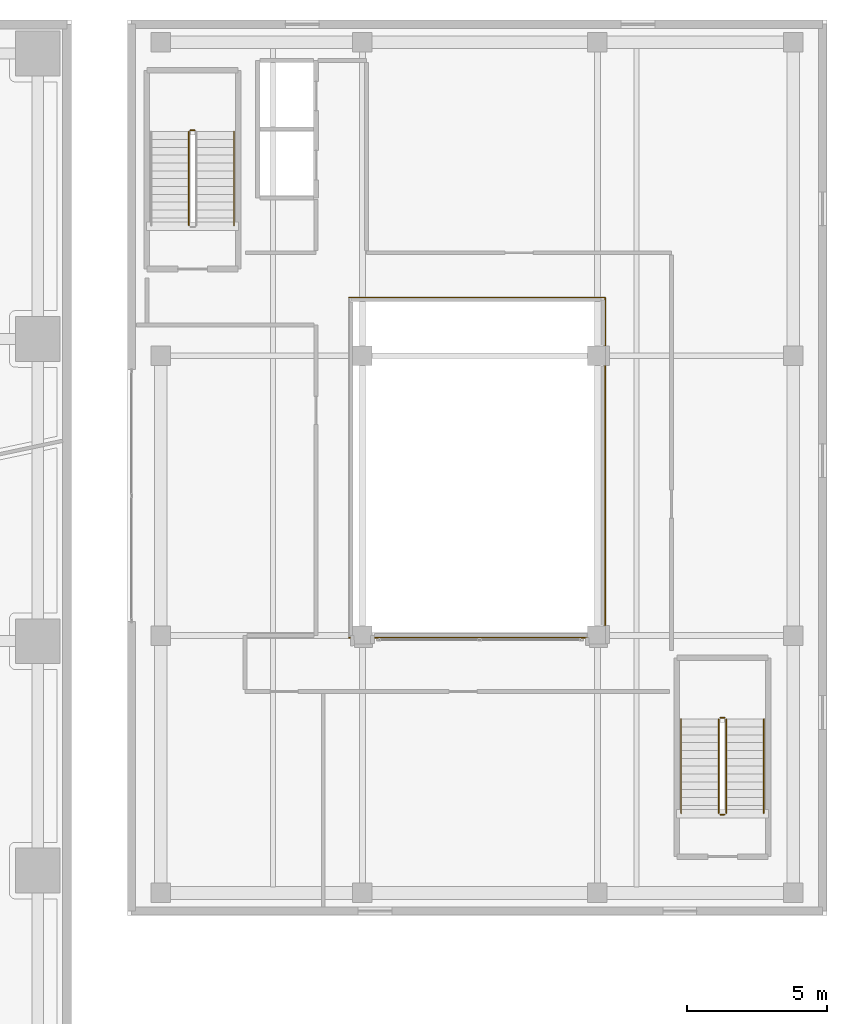
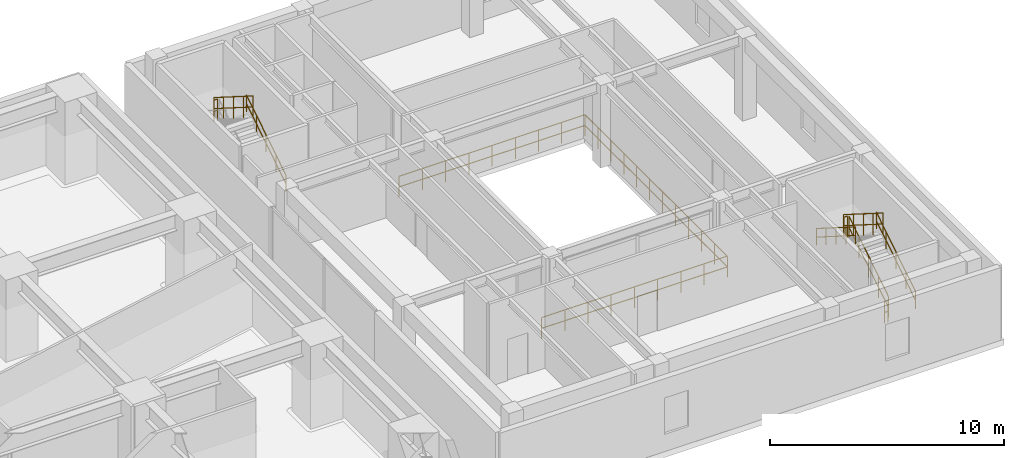
# One storey, part 24 of 24: 12 railings.
"""IFC4 building model written with IfcOpenShell, lengths in metres."""

from ifc_helpers import new_model, si_unit, direction, frame, origin, origin_2d, place, context, subcontext, project, spatial, circle, extrude, material, type_object, element, save


model = new_model("IFC4")

# Units and contexts
model_context = context("Model", 3, precision=1e-05, world=origin(), true_north=direction((0.0, 1.0)))
body_context = subcontext(model_context, "Body", "Model", "MODEL_VIEW")
ifc_project = project(units=[si_unit("LENGTHUNIT", "METRE"), si_unit("AREAUNIT", "SQUARE_METRE"), si_unit("VOLUMEUNIT", "CUBIC_METRE"), si_unit("PLANEANGLEUNIT", "RADIAN"), si_unit("MASSUNIT", "GRAM", prefix="KILO")], contexts=[model_context])

# Site, building, storey
site_placement = place(None, origin())
site = spatial("IfcSite", under=ifc_project, at=site_placement, CompositionType="ELEMENT")
building_placement = place(site_placement, origin())
building = spatial("IfcBuilding", under=site, at=building_placement, Name="Talar Marvaseh", CompositionType="ELEMENT")
storey_placement = place(building_placement, frame((0.0, 0.0, 9.800048828125)))
storey = spatial("IfcBuildingStorey", under=building, at=storey_placement, Name="L02", CompositionType="ELEMENT", Elevation=9.800048828125)

# Railings
ifc_material_1 = material(Name="Stainless Steel Grade 316", Category="steel")
railing_type_1 = type_object("IfcRailingType", Name="Brushed Stainless Wall Pitch Handrail 900", PredefinedType="HANDRAIL", material=ifc_material_1)
for number, where, name in (
    (1, (57.81005859375, 40.64990234375, 0.1767578125), "L02 MH-ST1 stair handrail 1"),
    (2, (76.75, 19.64990234375, 0.1767578125), "L02 MH-ST2 stair handrail 1"),
):
    element("IfcRailing", number, at=place(storey_placement, frame(where)), inside=storey, type_object=railing_type_1, Name=name, PredefinedType="HANDRAIL", context=body_context, shape_type="SweptSolid", body=[
        extrude(circle(Radius=0.02392578125, at=origin_2d()), frame((0.0, 0.0, 0.8759765625), z_axis=(0.0, 0.845361898145, 0.534194029511), x_axis=(-1.0, 0.0, 0.0)), (0.0, 0.0, 1.0), 3.974853515625),
        extrude(circle(Radius=0.02392578125, at=origin_2d()), frame((0.0, 0.0, 0.42578125), z_axis=(0.0, 0.845361898145, 0.534194029511), x_axis=(-1.0, 0.0, 0.0)), (0.0, 0.0, 1.0), 3.974853515625),
        extrude(circle(Radius=0.02099609375, at=origin_2d()), origin(), (0.0, 0.0, 1.0), 0.851806640625),
        extrude(circle(Radius=0.02099609375, at=origin_2d()), frame((0.0, 0.840087890625, 0.53076171875)), (0.0, 0.0, 1.0), 0.851806640625),
        extrude(circle(Radius=0.02099609375, at=origin_2d()), frame((0.0, 1.68017578125, 1.0615234375)), (0.0, 0.0, 1.0), 0.851806640625),
        extrude(circle(Radius=0.02099609375, at=origin_2d()), frame((0.0, 2.52001953125, 1.592529296875)), (0.0, 0.0, 1.0), 0.851806640625),
        extrude(circle(Radius=0.02099609375, at=origin_2d()), frame((0.0, 3.360107421875, 2.123291015625)), (0.0, 0.0, 1.0), 0.851806640625),
    ])
railing_1_placement = place(storey_placement, frame((73.7900390625, 23.010009765625, 2.476806640625)))
element("IfcRailing", 3, at=railing_1_placement, inside=storey, type_object=railing_type_1, Name="L02 MH-ST2 stair handrail 2", PredefinedType="HANDRAIL", context=body_context, shape_type="SweptSolid", body=[
    extrude(circle(Radius=0.02392578125, at=origin_2d()), frame((0.0, 0.0, 0.8759765625), z_axis=(0.0, -0.845389635667, 0.534150132366), x_axis=(1.0, 0.0, 0.0)), (0.0, 0.0, 1.0), 3.974609375),
    extrude(circle(Radius=0.02392578125, at=origin_2d()), frame((0.0, 0.0, 0.42578125), z_axis=(0.0, -0.845389635667, 0.534150132366), x_axis=(1.0, 0.0, 0.0)), (0.0, 0.0, 1.0), 3.974609375),
    extrude(circle(Radius=0.02099609375, at=origin_2d()), origin(), (0.0, 0.0, 1.0), 0.851806640625),
    extrude(circle(Radius=0.02099609375, at=origin_2d()), frame((0.0, -0.840087890625, 0.53076171875)), (0.0, 0.0, 1.0), 0.851806640625),
    extrude(circle(Radius=0.02099609375, at=origin_2d()), frame((0.0, -1.68017578125, 1.0615234375)), (0.0, 0.0, 1.0), 0.851806640625),
    extrude(circle(Radius=0.02099609375, at=origin_2d()), frame((0.0, -2.52001953125, 1.59228515625)), (0.0, 0.0, 1.0), 0.851806640625),
    extrude(circle(Radius=0.02099609375, at=origin_2d()), frame((0.0, -3.360107421875, 2.123046875)), (0.0, 0.0, 1.0), 0.851806640625),
])
ifc_material_2 = material(Name="Tempered Clear Glass", Category="glass")
railing_type_2 = type_object("IfcRailingType", Name="Interior Atrium Edge Balustrade 1120", PredefinedType="BALUSTRADE", material=ifc_material_2)
railing_2_placement = place(storey_placement, frame((61.919921875, 25.919921875, 0.0)))
element("IfcRailing", 4, at=railing_2_placement, inside=storey, type_object=railing_type_2, Name="L02 Market Courtyard Void Balustrade 1", PredefinedType="BALUSTRADE", context=body_context, shape_type="SweptSolid", body=[
    extrude(circle(Radius=0.02392578125, at=origin_2d()), frame((0.0, 0.0, 1.09619140625), z_axis=(1.0, 0.0, 0.0), x_axis=(0.0, 1.0, 0.0)), (0.0, 0.0, 1.0), 9.16015625),
    extrude(circle(Radius=0.02392578125, at=origin_2d()), frame((0.0, 0.0, 0.5361328125), z_axis=(1.0, 0.0, 0.0), x_axis=(0.0, 1.0, 0.0)), (0.0, 0.0, 1.0), 9.16015625),
    extrude(circle(Radius=0.02099609375, at=origin_2d()), origin(), (0.0, 0.0, 1.0), 1.072021484375),
    extrude(circle(Radius=0.02099609375, at=origin_2d()), frame((1.14501953125, 0.0, 0.0)), (0.0, 0.0, 1.0), 1.072021484375),
    extrude(circle(Radius=0.02099609375, at=origin_2d()), frame((2.2900390625, 0.0, 0.0)), (0.0, 0.0, 1.0), 1.072021484375),
    extrude(circle(Radius=0.02099609375, at=origin_2d()), frame((3.43505859375, 0.0, 0.0)), (0.0, 0.0, 1.0), 1.072021484375),
    extrude(circle(Radius=0.02099609375, at=origin_2d()), frame((4.580078125, 0.0, 0.0)), (0.0, 0.0, 1.0), 1.072021484375),
    extrude(circle(Radius=0.02099609375, at=origin_2d()), frame((5.72509765625, 0.0, 0.0)), (0.0, 0.0, 1.0), 1.072021484375),
    extrude(circle(Radius=0.02099609375, at=origin_2d()), frame((6.8701171875, 0.0, 0.0)), (0.0, 0.0, 1.0), 1.072021484375),
    extrude(circle(Radius=0.02099609375, at=origin_2d()), frame((8.01513671875, 0.0, 0.0)), (0.0, 0.0, 1.0), 1.072021484375),
    extrude(circle(Radius=0.02099609375, at=origin_2d()), frame((9.16015625, 0.0, 0.0)), (0.0, 0.0, 1.0), 1.072021484375),
])
railing_3_placement = place(storey_placement, frame((71.080078125, 25.919921875, 0.0)))
element("IfcRailing", 5, at=railing_3_placement, inside=storey, type_object=railing_type_2, Name="L02 Market Courtyard Void Balustrade 2", PredefinedType="BALUSTRADE", context=body_context, shape_type="SweptSolid", body=[
    extrude(circle(Radius=0.02392578125, at=origin_2d()), frame((0.0, 0.0, 1.09619140625), z_axis=(0.0, 1.0, 0.0), x_axis=(-1.0, 0.0, 0.0)), (0.0, 0.0, 1.0), 12.16015625),
    extrude(circle(Radius=0.02392578125, at=origin_2d()), frame((0.0, 0.0, 0.5361328125), z_axis=(0.0, 1.0, 0.0), x_axis=(-1.0, 0.0, 0.0)), (0.0, 0.0, 1.0), 12.16015625),
    extrude(circle(Radius=0.02099609375, at=origin_2d()), origin(), (0.0, 0.0, 1.0), 1.072021484375),
    extrude(circle(Radius=0.02099609375, at=origin_2d()), frame((0.0, 1.10546875, 0.0)), (0.0, 0.0, 1.0), 1.072021484375),
    extrude(circle(Radius=0.02099609375, at=origin_2d()), frame((0.0, 2.2109375, 0.0)), (0.0, 0.0, 1.0), 1.072021484375),
    extrude(circle(Radius=0.02099609375, at=origin_2d()), frame((0.0, 3.31640625, 0.0)), (0.0, 0.0, 1.0), 1.072021484375),
    extrude(circle(Radius=0.02099609375, at=origin_2d()), frame((0.0, 4.421875, 0.0)), (0.0, 0.0, 1.0), 1.072021484375),
    extrude(circle(Radius=0.02099609375, at=origin_2d()), frame((0.0, 5.52734375, 0.0)), (0.0, 0.0, 1.0), 1.072021484375),
    extrude(circle(Radius=0.02099609375, at=origin_2d()), frame((0.0, 6.6328125, 0.0)), (0.0, 0.0, 1.0), 1.072021484375),
    extrude(circle(Radius=0.02099609375, at=origin_2d()), frame((0.0, 7.73828125, 0.0)), (0.0, 0.0, 1.0), 1.072021484375),
    extrude(circle(Radius=0.02099609375, at=origin_2d()), frame((0.0, 8.84375, 0.0)), (0.0, 0.0, 1.0), 1.072021484375),
    extrude(circle(Radius=0.02099609375, at=origin_2d()), frame((0.0, 9.94921875, 0.0)), (0.0, 0.0, 1.0), 1.072021484375),
    extrude(circle(Radius=0.02099609375, at=origin_2d()), frame((0.0, 11.0546875, 0.0)), (0.0, 0.0, 1.0), 1.072021484375),
    extrude(circle(Radius=0.02099609375, at=origin_2d()), frame((0.0, 12.16015625, 0.0)), (0.0, 0.0, 1.0), 1.072021484375),
])
railing_4_placement = place(storey_placement, frame((71.080078125, 38.080078125, 0.0)))
element("IfcRailing", 6, at=railing_4_placement, inside=storey, type_object=railing_type_2, Name="L02 Market Courtyard Void Balustrade 3", PredefinedType="BALUSTRADE", context=body_context, shape_type="SweptSolid", body=[
    extrude(circle(Radius=0.02392578125, at=origin_2d()), frame((0.0, 0.0, 1.09619140625), z_axis=(-1.0, 0.0, 0.0), x_axis=(0.0, -1.0, 0.0)), (0.0, 0.0, 1.0), 9.16015625),
    extrude(circle(Radius=0.02392578125, at=origin_2d()), frame((0.0, 0.0, 0.5361328125), z_axis=(-1.0, 0.0, 0.0), x_axis=(0.0, -1.0, 0.0)), (0.0, 0.0, 1.0), 9.16015625),
    extrude(circle(Radius=0.02099609375, at=origin_2d()), origin(), (0.0, 0.0, 1.0), 1.072021484375),
    extrude(circle(Radius=0.02099609375, at=origin_2d()), frame((-1.14501953125, 0.0, 0.0)), (0.0, 0.0, 1.0), 1.072021484375),
    extrude(circle(Radius=0.02099609375, at=origin_2d()), frame((-2.2900390625, 0.0, 0.0)), (0.0, 0.0, 1.0), 1.072021484375),
    extrude(circle(Radius=0.02099609375, at=origin_2d()), frame((-3.43505859375, 0.0, 0.0)), (0.0, 0.0, 1.0), 1.072021484375),
    extrude(circle(Radius=0.02099609375, at=origin_2d()), frame((-4.580078125, 0.0, 0.0)), (0.0, 0.0, 1.0), 1.072021484375),
    extrude(circle(Radius=0.02099609375, at=origin_2d()), frame((-5.72509765625, 0.0, 0.0)), (0.0, 0.0, 1.0), 1.072021484375),
    extrude(circle(Radius=0.02099609375, at=origin_2d()), frame((-6.8701171875, 0.0, 0.0)), (0.0, 0.0, 1.0), 1.072021484375),
    extrude(circle(Radius=0.02099609375, at=origin_2d()), frame((-8.01513671875, 0.0, 0.0)), (0.0, 0.0, 1.0), 1.072021484375),
    extrude(circle(Radius=0.02099609375, at=origin_2d()), frame((-9.16015625, 0.0, 0.0)), (0.0, 0.0, 1.0), 1.072021484375),
])
railing_type_3 = type_object("IfcRailingType", Name="Painted Steel Core Stair Well Guardrail 1150", PredefinedType="GUARDRAIL", material=ifc_material_1)
railing_5_placement = place(storey_placement, frame((56.409912109375, 44.06005859375, 2.300048828125)))
element("IfcRailing", 7, at=railing_5_placement, inside=storey, type_object=railing_type_3, Name="L02 MH-ST1 stair guard 2", PredefinedType="GUARDRAIL", context=body_context, shape_type="SweptSolid", body=[
    extrude(circle(Radius=0.02392578125, at=origin_2d()), frame((0.0, 0.0, 1.1259765625), z_axis=(-1.0, 0.0, 0.0), x_axis=(0.0, -1.0, 0.0)), (0.0, 0.0, 1.0), 0.159912109375),
    extrude(circle(Radius=0.02392578125, at=origin_2d()), frame((0.0, 0.0, 0.55078125), z_axis=(-1.0, 0.0, 0.0), x_axis=(0.0, -1.0, 0.0)), (0.0, 0.0, 1.0), 0.159912109375),
    extrude(circle(Radius=0.02099609375, at=origin_2d()), origin(), (0.0, 0.0, 1.0), 1.101806640625),
    extrude(circle(Radius=0.02099609375, at=origin_2d()), frame((-0.159912109375, 0.0, 0.0)), (0.0, 0.0, 1.0), 1.101806640625),
])
railing_6_placement = place(storey_placement, frame((56.199951171875, 44.010009765625, 2.476806640625)))
element("IfcRailing", 8, at=railing_6_placement, inside=storey, type_object=railing_type_3, Name="L02 MH-ST1 stair guard 3", PredefinedType="GUARDRAIL", context=body_context, shape_type="SweptSolid", body=[
    extrude(circle(Radius=0.02392578125, at=origin_2d()), frame((0.0, 0.0, 1.1259765625), z_axis=(0.0, -0.845389635667, 0.534150132366), x_axis=(1.0, 0.0, 0.0)), (0.0, 0.0, 1.0), 3.974609375),
    extrude(circle(Radius=0.02392578125, at=origin_2d()), frame((0.0, 0.0, 0.55078125), z_axis=(0.0, -0.845389635667, 0.534150132366), x_axis=(1.0, 0.0, 0.0)), (0.0, 0.0, 1.0), 3.974609375),
    extrude(circle(Radius=0.02099609375, at=origin_2d()), origin(), (0.0, 0.0, 1.0), 1.101806640625),
    extrude(circle(Radius=0.02099609375, at=origin_2d()), frame((0.0, -0.840087890625, 0.53076171875)), (0.0, 0.0, 1.0), 1.101806640625),
    extrude(circle(Radius=0.02099609375, at=origin_2d()), frame((0.0, -1.68017578125, 1.0615234375)), (0.0, 0.0, 1.0), 1.101806640625),
    extrude(circle(Radius=0.02099609375, at=origin_2d()), frame((0.0, -2.52001953125, 1.59228515625)), (0.0, 0.0, 1.0), 1.101806640625),
    extrude(circle(Radius=0.02099609375, at=origin_2d()), frame((0.0, -3.360107421875, 2.123046875)), (0.0, 0.0, 1.0), 1.101806640625),
])
railing_7_placement = place(storey_placement, frame((75.39990234375, 19.64990234375, 0.1767578125)))
element("IfcRailing", 9, at=railing_7_placement, inside=storey, type_object=railing_type_3, Name="L02 MH-ST2 stair guard 1", PredefinedType="GUARDRAIL", context=body_context, shape_type="SweptSolid", body=[
    extrude(circle(Radius=0.02392578125, at=origin_2d()), frame((0.0, 0.0, 1.1259765625), z_axis=(0.0, 0.845361898145, 0.534194029511), x_axis=(-1.0, 0.0, 0.0)), (0.0, 0.0, 1.0), 3.974853515625),
    extrude(circle(Radius=0.02392578125, at=origin_2d()), frame((0.0, 0.0, 0.55078125), z_axis=(0.0, 0.845361898145, 0.534194029511), x_axis=(-1.0, 0.0, 0.0)), (0.0, 0.0, 1.0), 3.974853515625),
    extrude(circle(Radius=0.02099609375, at=origin_2d()), origin(), (0.0, 0.0, 1.0), 1.101806640625),
    extrude(circle(Radius=0.02099609375, at=origin_2d()), frame((0.0, 0.840087890625, 0.53076171875)), (0.0, 0.0, 1.0), 1.101806640625),
    extrude(circle(Radius=0.02099609375, at=origin_2d()), frame((0.0, 1.68017578125, 1.0615234375)), (0.0, 0.0, 1.0), 1.101806640625),
    extrude(circle(Radius=0.02099609375, at=origin_2d()), frame((0.0, 2.52001953125, 1.592529296875)), (0.0, 0.0, 1.0), 1.101806640625),
    extrude(circle(Radius=0.02099609375, at=origin_2d()), frame((0.0, 3.360107421875, 2.123291015625)), (0.0, 0.0, 1.0), 1.101806640625),
])
railing_8_placement = place(storey_placement, frame((75.35009765625, 23.06005859375, 2.300048828125)))
element("IfcRailing", 10, at=railing_8_placement, inside=storey, type_object=railing_type_3, Name="L02 MH-ST2 stair guard 2", PredefinedType="GUARDRAIL", context=body_context, shape_type="SweptSolid", body=[
    extrude(circle(Radius=0.02392578125, at=origin_2d()), frame((0.0, 0.0, 1.1259765625), z_axis=(-1.0, 0.0, 0.0), x_axis=(0.0, -1.0, 0.0)), (0.0, 0.0, 1.0), 0.16015625),
    extrude(circle(Radius=0.02392578125, at=origin_2d()), frame((0.0, 0.0, 0.55078125), z_axis=(-1.0, 0.0, 0.0), x_axis=(0.0, -1.0, 0.0)), (0.0, 0.0, 1.0), 0.16015625),
    extrude(circle(Radius=0.02099609375, at=origin_2d()), origin(), (0.0, 0.0, 1.0), 1.101806640625),
    extrude(circle(Radius=0.02099609375, at=origin_2d()), frame((-0.16015625, 0.0, 0.0)), (0.0, 0.0, 1.0), 1.101806640625),
])
railing_9_placement = place(storey_placement, frame((75.139892578125, 23.010009765625, 2.476806640625)))
element("IfcRailing", 11, at=railing_9_placement, inside=storey, type_object=railing_type_3, Name="L02 MH-ST2 stair guard 3", PredefinedType="GUARDRAIL", context=body_context, shape_type="SweptSolid", body=[
    extrude(circle(Radius=0.02392578125, at=origin_2d()), frame((0.0, 0.0, 1.1259765625), z_axis=(0.0, -0.845389635667, 0.534150132366), x_axis=(1.0, 0.0, 0.0)), (0.0, 0.0, 1.0), 3.974609375),
    extrude(circle(Radius=0.02392578125, at=origin_2d()), frame((0.0, 0.0, 0.55078125), z_axis=(0.0, -0.845389635667, 0.534150132366), x_axis=(1.0, 0.0, 0.0)), (0.0, 0.0, 1.0), 3.974609375),
    extrude(circle(Radius=0.02099609375, at=origin_2d()), origin(), (0.0, 0.0, 1.0), 1.101806640625),
    extrude(circle(Radius=0.02099609375, at=origin_2d()), frame((0.0, -0.840087890625, 0.53076171875)), (0.0, 0.0, 1.0), 1.101806640625),
    extrude(circle(Radius=0.02099609375, at=origin_2d()), frame((0.0, -1.68017578125, 1.0615234375)), (0.0, 0.0, 1.0), 1.101806640625),
    extrude(circle(Radius=0.02099609375, at=origin_2d()), frame((0.0, -2.52001953125, 1.59228515625)), (0.0, 0.0, 1.0), 1.101806640625),
    extrude(circle(Radius=0.02099609375, at=origin_2d()), frame((0.0, -3.360107421875, 2.123046875)), (0.0, 0.0, 1.0), 1.101806640625),
])
railing_10_placement = place(storey_placement, frame((75.35009765625, 19.60009765625, 0.0)))
element("IfcRailing", 12, at=railing_10_placement, inside=storey, type_object=railing_type_3, Name="L02 MH-ST2 stair guard 4", PredefinedType="GUARDRAIL", context=body_context, shape_type="SweptSolid", body=[
    extrude(circle(Radius=0.02392578125, at=origin_2d()), frame((0.0, 0.0, 1.1259765625), z_axis=(-1.0, 0.0, 0.0), x_axis=(0.0, -1.0, 0.0)), (0.0, 0.0, 1.0), 0.16015625),
    extrude(circle(Radius=0.02392578125, at=origin_2d()), frame((0.0, 0.0, 0.55078125), z_axis=(-1.0, 0.0, 0.0), x_axis=(0.0, -1.0, 0.0)), (0.0, 0.0, 1.0), 0.16015625),
    extrude(circle(Radius=0.02099609375, at=origin_2d()), origin(), (0.0, 0.0, 1.0), 1.101806640625),
    extrude(circle(Radius=0.02099609375, at=origin_2d()), frame((-0.16015625, 0.0, 0.0)), (0.0, 0.0, 1.0), 1.101806640625),
])

save(model, "model.ifc")
